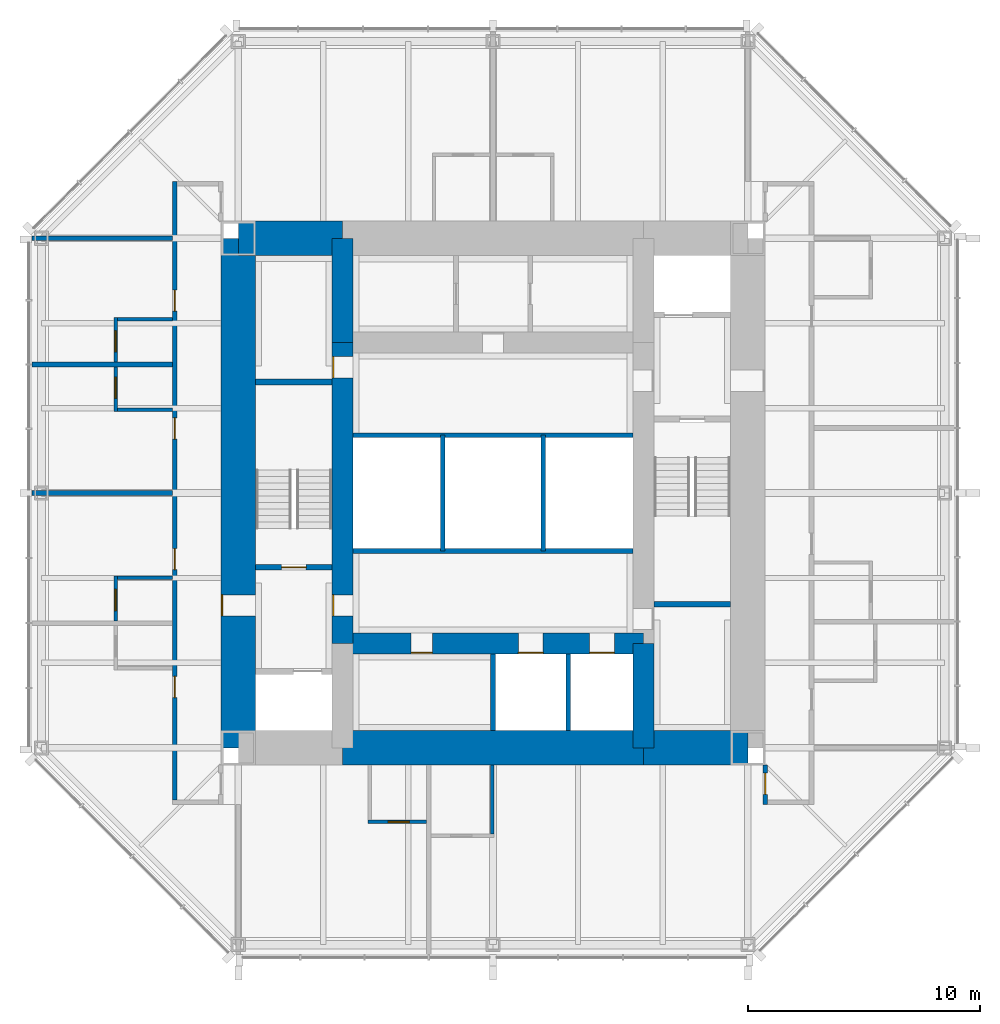
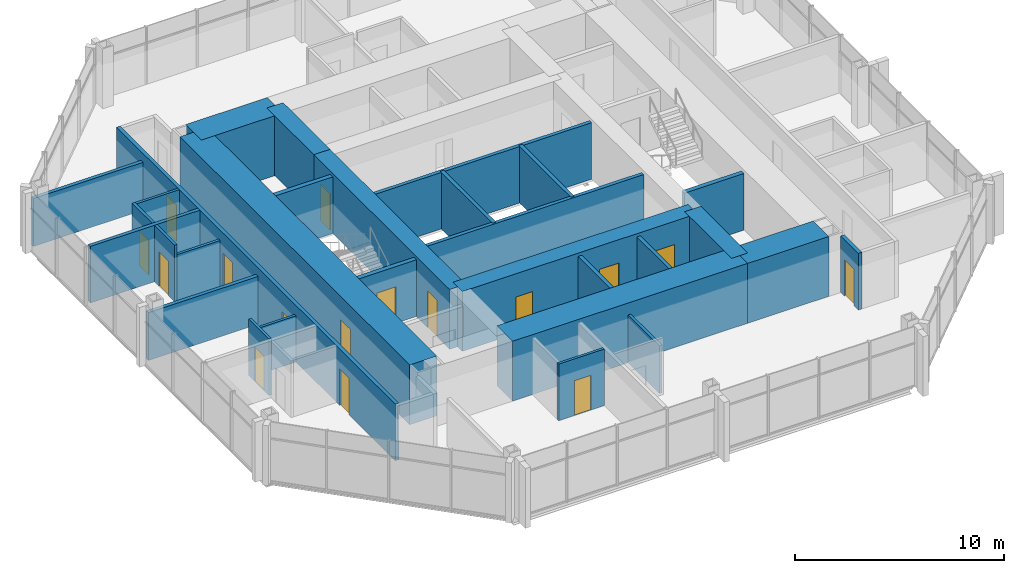
# One storey, part 8 of 11: 30 walls, 16 doors, 16 openings.
"""IFC4 building model written with IfcOpenShell, lengths in metres."""

import ifcopenshell
import ifcopenshell.guid

model = None  # the IFC model being written
_history = None  # IfcOwnerHistory: only IFC2X3 demands one
_inside = {}  # id of a spatial element -> (the spatial element, [elements in it])
_under = {}  # id of a project, library or spatial element -> (it, [spatial elements below it])
_declared = {}  # id of a project -> (the project, [libraries it declares])
_typed = {}  # id of a type object -> (the type object, [elements of that type])
_made_of = {}  # id of a material, layer set ... -> (it, [elements and type objects made of it])


def new_model(schema):
    """Start an empty IFC model of exactly this schema.

    Asked for "IFC4X3", IfcOpenShell would pick the latest addendum, in which some entities
    have other attributes; the version numbers below select the first issue.
    IFC2X3 requires an IfcOwnerHistory on every rooted entity: one is made here for all.
    """
    global model, _history
    if schema == "IFC4X3":
        model = ifcopenshell.file(schema_version=(4, 3, 0, 0))
    else:
        model = ifcopenshell.file(schema=schema)
    _inside.clear()
    _under.clear()
    _declared.clear()
    _typed.clear()
    _made_of.clear()
    _history = None
    if model.schema == "IFC2X3":
        org = make("IfcOrganization", Name="unknown")
        user = make(
            "IfcPersonAndOrganization",
            ThePerson=make("IfcPerson", FamilyName="unknown"),
            TheOrganization=org,
        )
        app = make(
            "IfcApplication",
            ApplicationDeveloper=org,
            Version="unknown",
            ApplicationFullName="unknown",
            ApplicationIdentifier="unknown",
        )
        _history = make(
            "IfcOwnerHistory",
            OwningUser=user,
            OwningApplication=app,
            ChangeAction="ADDED",
            CreationDate=0,
        )
    return model


def make(cls, **values):
    """One entity of the class cls with the attributes given. An attribute that is None is left unset."""
    return model.create_entity(
        cls, **{name: value for name, value in values.items() if value is not None}
    )


def rooted(cls, **values):
    """An entity with a GlobalId (a new one), such as an element, a storey or a relation."""
    return make(cls, GlobalId=ifcopenshell.guid.new(), OwnerHistory=_history, **values)


def si_unit(unit_type, name, prefix=None):
    """IfcSIUnit, for example si_unit("LENGTHUNIT", "METRE", prefix="MILLI")."""
    return make("IfcSIUnit", UnitType=unit_type, Prefix=prefix, Name=name)


def assignment(units):
    """IfcUnitAssignment: the units of a project."""
    return None if units is None else make("IfcUnitAssignment", Units=units)


def point(xyz):
    """IfcCartesianPoint."""
    return None if xyz is None else make("IfcCartesianPoint", Coordinates=xyz)


def direction(xyz):
    """IfcDirection."""
    return None if xyz is None else make("IfcDirection", DirectionRatios=xyz)


def frame(location, z_axis=None, x_axis=None):
    """IfcAxis2Placement3D, a coordinate frame: its origin and axes. An axis left out is left unset."""
    return make(
        "IfcAxis2Placement3D",
        Location=point(location),
        Axis=direction(z_axis),
        RefDirection=direction(x_axis),
    )


def frame_2d(location, x_axis=None):
    """IfcAxis2Placement2D, a coordinate frame in the plane: its origin and x axis."""
    return make(
        "IfcAxis2Placement2D", Location=point(location), RefDirection=direction(x_axis)
    )


def origin():
    """The frame at (0, 0, 0) with its axes left unset."""
    return frame((0.0, 0.0, 0.0))


def place(relative_to, where):
    """IfcLocalPlacement: puts the frame where relative to a parent placement (None: the world)."""
    return make(
        "IfcLocalPlacement", PlacementRelTo=relative_to, RelativePlacement=where
    )


def context(
    kind, dimensions, precision=None, world=None, true_north=None, identifier=None
):
    """IfcGeometricRepresentationContext, for example the 3D "Model" context."""
    return make(
        "IfcGeometricRepresentationContext",
        ContextIdentifier=identifier,
        ContextType=kind,
        CoordinateSpaceDimension=dimensions,
        Precision=precision,
        WorldCoordinateSystem=world,
        TrueNorth=true_north,
    )


def subcontext(parent, identifier, kind, view, scale=None):
    """IfcGeometricRepresentationSubContext, for example "Body" below "Model"."""
    return make(
        "IfcGeometricRepresentationSubContext",
        ContextIdentifier=identifier,
        ContextType=kind,
        ParentContext=parent,
        TargetScale=scale,
        TargetView=view,
    )


def project(units=None, contexts=None):
    """IfcProject with its units and contexts."""
    return rooted(
        "IfcProject",
        Name="project",
        RepresentationContexts=contexts,
        UnitsInContext=assignment(units),
    )


def spatial(cls, under=None, at=None, **own):
    """A site, building, storey or space (cls), placed at a placement, below another one or the project."""
    s = rooted(cls, ObjectPlacement=at, **own)
    if under is not None:
        _under.setdefault(under.id(), (under, []))[1].append(s)
    return s


def profile(cls, at=None, kind="AREA", **sizes):
    """A parametric profile (cls). Its sizes go by their IFC names, for example OverallWidth=200.0."""
    return make(cls, ProfileType=kind, Position=at, **sizes)


def rectangle(**sizes):
    """IfcRectangleProfileDef."""
    return profile("IfcRectangleProfileDef", **sizes)


def extrude(swept, where, along, depth):
    """IfcExtrudedAreaSolid: the profile swept, set in the frame where, extruded along a direction by depth."""
    return make(
        "IfcExtrudedAreaSolid",
        SweptArea=swept,
        Position=where,
        ExtrudedDirection=direction(along),
        Depth=depth,
    )


def shape(context_of_items, identifier, shape_type, items):
    """IfcShapeRepresentation: the items that make up one representation, for example the "Body"."""
    return make(
        "IfcShapeRepresentation",
        ContextOfItems=context_of_items,
        RepresentationIdentifier=identifier,
        RepresentationType=shape_type,
        Items=items,
    )


def material(Name=None, Category=None):
    """IfcMaterial."""
    return make("IfcMaterial", Name=Name, Category=Category)


def layer(
    of_material, thickness, ventilated=None, Name=None, Category=None, Priority=None
):
    """IfcMaterialLayer: one layer of a wall or slab, of a material (None: an air gap)."""
    return make(
        "IfcMaterialLayer",
        Material=of_material,
        LayerThickness=thickness,
        IsVentilated=ventilated,
        Name=Name,
        Category=Category,
        Priority=Priority,
    )


def layer_set(layers, Name=None):
    """IfcMaterialLayerSet."""
    return make("IfcMaterialLayerSet", MaterialLayers=layers, LayerSetName=Name)


def made_of(thing, what):
    """Note that an element or type object is made of a material, layer set ...; save() writes the relation."""
    if what is not None:
        _made_of.setdefault(what.id(), (what, []))[1].append(thing)
    return thing


def type_object(cls, material=None, **own):
    """A type object (cls), such as IfcWallType, which elements share."""
    return made_of(rooted(cls, **own), material)


def element(
    cls,
    number,
    at=None,
    inside=None,
    cuts=None,
    type_object=None,
    material=None,
    context=None,
    identifier="Body",
    shape_type=None,
    held_by="IfcProductDefinitionShape",
    body=None,
    shapes=None,
    **own,
):
    """One element of the class cls, such as IfcWall. Its Tag is "e" and its number.

    at: its placement. inside: the storey or other place that contains it. cuts: it is an
    opening in that element (IfcRelVoidsElement). A single representation is given by context,
    identifier, shape_type and body (its items); several are given by shapes. held_by: the class
    of the entity that holds the representations. save() writes the other relations.
    """
    e = rooted(cls, Tag="e%d" % number, ObjectPlacement=at, **own)
    if body is not None:
        shapes = [shape(context, identifier, shape_type, body)]
    if shapes is not None:
        e.Representation = make(held_by, Representations=shapes)
    if inside is not None:
        _inside.setdefault(inside.id(), (inside, []))[1].append(e)
    if cuts is not None:
        rooted(
            "IfcRelVoidsElement", RelatingBuildingElement=cuts, RelatedOpeningElement=e
        )
    if type_object is not None:
        _typed.setdefault(type_object.id(), (type_object, []))[1].append(e)
    return made_of(e, material)


def fill(opening, filler):
    """IfcRelFillsElement: the door or window that sits in an opening."""
    return rooted(
        "IfcRelFillsElement",
        RelatingOpeningElement=opening,
        RelatedBuildingElement=filler,
    )


def aggregate(whole, parts):
    """IfcRelAggregates: a whole, such as a stair, and the parts it consists of."""
    return rooted("IfcRelAggregates", RelatingObject=whole, RelatedObjects=parts)


def save(model, path):
    """Write the relations noted so far, then the file.

    IfcRelAggregates (storeys below a building ...), IfcRelContainedInSpatialStructure (elements
    in a storey), IfcRelDefinesByType, IfcRelAssociatesMaterial and IfcRelDeclares: one each for
    every whole, place, type object, material and project.
    """
    for whole, parts in _under.values():
        aggregate(whole, parts)
    for where, things in _inside.values():
        rooted(
            "IfcRelContainedInSpatialStructure",
            RelatedElements=things,
            RelatingStructure=where,
        )
    for kind, things in _typed.values():
        rooted("IfcRelDefinesByType", RelatedObjects=things, RelatingType=kind)
    for what, things in _made_of.values():
        rooted("IfcRelAssociatesMaterial", RelatedObjects=things, RelatingMaterial=what)
    for by, libraries in _declared.values():
        rooted("IfcRelDeclares", RelatingContext=by, RelatedDefinitions=libraries)
    model.write(path)


model = new_model("IFC4")

# Units and contexts
model_context = context("Model", 3, precision=1e-05, world=origin(), true_north=direction((0.0, 1.0)))
body_context = subcontext(model_context, "Body", "Model", "MODEL_VIEW")
ifc_project = project(units=[si_unit("LENGTHUNIT", "METRE"), si_unit("AREAUNIT", "SQUARE_METRE"), si_unit("VOLUMEUNIT", "CUBIC_METRE"), si_unit("PLANEANGLEUNIT", "RADIAN"), si_unit("MASSUNIT", "GRAM", prefix="KILO")], contexts=[model_context])

# Site, building, storey
site_placement = place(None, origin())
site = spatial("IfcSite", under=ifc_project, at=site_placement, CompositionType="ELEMENT")
building_placement = place(site_placement, origin())
building = spatial("IfcBuilding", under=site, at=building_placement, Name="Trevanion Tower", CompositionType="ELEMENT")
storey_placement = place(building_placement, frame((0.0, 0.0, 229.199951171875)))
storey = spatial("IfcBuildingStorey", under=building, at=storey_placement, Name="L55", CompositionType="ELEMENT", Elevation=229.199951171875)

# Wall, opening, door
ifc_material_1 = material(Name="Concrete 10,000 psi", Category="concrete")
ifc_layer_1 = layer(ifc_material_1, 1.5)
ifc_layer_set_1 = layer_set([ifc_layer_1], Name="CW1 core wall 1500")
wall_type_1 = type_object("IfcWallType", Name="CW1 core wall 1500", PredefinedType="SHEAR", material=ifc_layer_set_1)
wall_1_placement = place(storey_placement, frame((-11.0, 11.0, 0.0), z_axis=(0.0, 0.0, 1.0), x_axis=(0.0, -1.0, 0.0)))
wall_1 = element("IfcWall", 1, at=wall_1_placement, inside=storey, type_object=wall_type_1, Name="CW1 CW L55", PredefinedType="SHEAR", context=body_context, shape_type="SweptSolid", body=[
    extrude(rectangle(XDim=22.0, YDim=1.5, at=frame_2d((11.0, 0.0))), origin(), (0.0, 0.0, 1.0), 3.5),
])
opening_1_placement = place(wall_1_placement, frame((15.392578125, 0.0, 0.0)))
opening_1 = element("IfcOpeningElement", 2, at=opening_1_placement, cuts=wall_1, Name="Opening 55-002", PredefinedType="OPENING", context=body_context, shape_type="SweptSolid", body=[
    extrude(rectangle(XDim=0.9150390625, YDim=2.134033203125, at=frame_2d((0.45751953125, 1.06689453125))), frame((0.0, 0.760009765625, 0.0), z_axis=(0.0, -1.0, 0.0), x_axis=(1.0, 0.0, 0.0)), (0.0, 0.0, 1.0), 1.52001953125),
])
ifc_material_2 = material(Name="Hollow metal, fire rated", Category="steel")
door_type_1 = type_object("IfcDoorType", Name="D3 fire lift lobby door", OperationType="SINGLE_SWING_RIGHT", PredefinedType="DOOR", material=ifc_material_2)
door_1_placement = place(opening_1_placement, origin())
door_1 = element("IfcDoor", 3, at=door_1_placement, inside=storey, type_object=door_type_1, Name="Door 55-002", OperationType="SINGLE_SWING_RIGHT", OverallHeight=2.134033203125, OverallWidth=0.9150390625, PredefinedType="DOOR", context=body_context, shape_type="SweptSolid", body=[
    extrude(rectangle(XDim=0.9150390625, YDim=2.134033203125, at=frame_2d((0.45751953125, 1.06689453125))), frame((0.0, -0.6748046875, 0.0), z_axis=(0.0, -1.0, 0.0), x_axis=(1.0, 0.0, 0.0)), (0.0, 0.0, 1.0), 0.050048828125),
])
fill(opening_1, door_1)

# Walls
wall_2_placement = place(storey_placement, frame((-6.5, 11.0, 0.0), z_axis=(0.0, 0.0, 1.0), x_axis=(-1.0, 0.0, 0.0)))
element("IfcWall", 4, at=wall_2_placement, inside=storey, type_object=wall_type_1, Name="CW1 CN3 L55", PredefinedType="SHEAR", context=body_context, shape_type="SweptSolid", body=[
    extrude(rectangle(XDim=4.5, YDim=1.5, at=frame_2d((2.25, 0.0))), origin(), (0.0, 0.0, 1.0), 3.5),
])
wall_3_placement = place(storey_placement, frame((-6.5, -11.0, 0.0), z_axis=(0.0, 0.0, 1.0), x_axis=(1.0, 0.0, 0.0)))
element("IfcWall", 5, at=wall_3_placement, inside=storey, type_object=wall_type_1, Name="CW1 CS2 L55", PredefinedType="SHEAR", context=body_context, shape_type="SweptSolid", body=[
    extrude(rectangle(XDim=13.0, YDim=1.5, at=frame_2d((6.5, 0.0))), origin(), (0.0, 0.0, 1.0), 3.5),
])
wall_4_placement = place(storey_placement, frame((6.5, -11.0, 0.0), z_axis=(0.0, 0.0, 1.0), x_axis=(1.0, 0.0, 0.0)))
element("IfcWall", 6, at=wall_4_placement, inside=storey, type_object=wall_type_1, Name="CW1 CS3 L55", PredefinedType="SHEAR", context=body_context, shape_type="SweptSolid", body=[
    extrude(rectangle(XDim=4.5, YDim=1.5, at=frame_2d((2.25, 0.0))), origin(), (0.0, 0.0, 1.0), 3.5),
])
ifc_material_3 = material(Name="Concrete 10,000 psi", Category="concrete")
ifc_layer_2 = layer(ifc_material_3, 0.89990234375)
ifc_layer_set_2 = layer_set([ifc_layer_2], Name="CW2 core wall 900")
wall_type_2 = type_object("IfcWallType", Name="CW2 core wall 900", PredefinedType="SHEAR", material=ifc_layer_set_2)
for number, where, z_axis, x_axis, name in (
    (7, (6.5, -11.0, 0.0), (0.0, 0.0, 1.0), (0.0, 1.0, 0.0), "CW2 RE1 L55"),
    (8, (-6.5, 11.0, 0.0), (0.0, 0.0, 1.0), (0.0, -1.0, 0.0), "CW2 RW1 L55"),
):
    element("IfcWall", number, at=place(storey_placement, frame(where, z_axis=z_axis, x_axis=x_axis)), inside=storey, type_object=wall_type_2, Name=name, PredefinedType="SHEAR", context=body_context, shape_type="SweptSolid", body=[
        extrude(rectangle(XDim=4.5, YDim=0.89990234375, at=frame_2d((2.25, 0.0))), origin(), (0.0, 0.0, 1.0), 3.5),
    ])

# Wall, openings, doors
wall_5_placement = place(storey_placement, frame((-6.5, 6.5, 0.0), z_axis=(0.0, 0.0, 1.0), x_axis=(0.0, -1.0, 0.0)))
wall_5 = element("IfcWall", 9, at=wall_5_placement, inside=storey, type_object=wall_type_2, Name="CW2 RW2 L55", PredefinedType="SHEAR", context=body_context, shape_type="SweptSolid", body=[
    extrude(rectangle(XDim=13.0, YDim=0.89990234375, at=frame_2d((6.5, 0.0))), origin(), (0.0, 0.0, 1.0), 3.5),
])
opening_2_placement = place(wall_5_placement, frame((10.892578125, 0.0, 0.0)))
opening_2 = element("IfcOpeningElement", 10, at=opening_2_placement, cuts=wall_5, Name="Opening 55-004", PredefinedType="OPENING", context=body_context, shape_type="SweptSolid", body=[
    extrude(rectangle(XDim=0.9150390625, YDim=2.134033203125, at=frame_2d((0.45751953125, 1.06689453125))), frame((0.0, 0.4599609375, 0.0), z_axis=(0.0, -1.0, 0.0), x_axis=(1.0, 0.0, 0.0)), (0.0, 0.0, 1.0), 0.919921875),
])
opening_3_placement = place(wall_5_placement, frame((0.610107421875, 0.0, 0.0)))
opening_3 = element("IfcOpeningElement", 11, at=opening_3_placement, cuts=wall_5, Name="Opening 55-010", PredefinedType="OPENING", context=body_context, shape_type="SweptSolid", body=[
    extrude(rectangle(XDim=0.9150390625, YDim=2.134033203125, at=frame_2d((0.45751953125, 1.06689453125))), frame((0.0, 0.4599609375, 0.0), z_axis=(0.0, -1.0, 0.0), x_axis=(1.0, 0.0, 0.0)), (0.0, 0.0, 1.0), 0.919921875),
])
door_2_placement = place(opening_2_placement, origin())
door_2 = element("IfcDoor", 12, at=door_2_placement, inside=storey, type_object=door_type_1, Name="Door 55-004", OperationType="SINGLE_SWING_RIGHT", OverallHeight=2.134033203125, OverallWidth=0.9150390625, PredefinedType="DOOR", context=body_context, shape_type="SweptSolid", body=[
    extrude(rectangle(XDim=0.9150390625, YDim=2.134033203125, at=frame_2d((0.45751953125, 1.06689453125))), frame((0.0, -0.375, 0.0), z_axis=(0.0, -1.0, 0.0), x_axis=(1.0, 0.0, 0.0)), (0.0, 0.0, 1.0), 0.050048828125),
])
fill(opening_2, door_2)
ifc_material_4 = material(Name="Hollow metal, fire rated", Category="steel")
door_type_2 = type_object("IfcDoorType", Name="D5 service room door", OperationType="SINGLE_SWING_RIGHT", PredefinedType="DOOR", material=ifc_material_4)
door_3_placement = place(opening_3_placement, origin())
door_3 = element("IfcDoor", 13, at=door_3_placement, inside=storey, type_object=door_type_2, Name="Door 55-010", OperationType="SINGLE_SWING_RIGHT", OverallHeight=2.134033203125, OverallWidth=0.9150390625, PredefinedType="DOOR", context=body_context, shape_type="SweptSolid", body=[
    extrude(rectangle(XDim=0.9150390625, YDim=2.134033203125, at=frame_2d((0.45751953125, 1.06689453125))), frame((0.0, -0.375, 0.0), z_axis=(0.0, -1.0, 0.0), x_axis=(1.0, 0.0, 0.0)), (0.0, 0.0, 1.0), 0.050048828125),
])
fill(opening_3, door_3)

wall_6_placement = place(storey_placement, frame((-6.5, -6.5, 0.0), z_axis=(0.0, 0.0, 1.0), x_axis=(1.0, 0.0, 0.0)))
wall_6 = element("IfcWall", 14, at=wall_6_placement, inside=storey, type_object=wall_type_2, Name="CW2 RS L55", PredefinedType="SHEAR", context=body_context, shape_type="SweptSolid", body=[
    extrude(rectangle(XDim=13.0, YDim=0.89990234375, at=frame_2d((6.5, 0.0))), origin(), (0.0, 0.0, 1.0), 3.5),
])
opening_4_placement = place(wall_6_placement, frame((7.591552734375, 0.0, 0.0)))
opening_4 = element("IfcOpeningElement", 15, at=opening_4_placement, cuts=wall_6, Name="Opening 55-011", PredefinedType="OPENING", context=body_context, shape_type="SweptSolid", body=[
    extrude(rectangle(XDim=1.06689453125, YDim=2.134033203125, at=frame_2d((0.533447265625, 1.06689453125))), frame((0.0, 0.4599609375, 0.0), z_axis=(0.0, -1.0, 0.0), x_axis=(1.0, 0.0, 0.0)), (0.0, 0.0, 1.0), 0.919921875),
])
opening_5_placement = place(wall_6_placement, frame((10.66650390625, 0.0, 0.0)))
opening_5 = element("IfcOpeningElement", 16, at=opening_5_placement, cuts=wall_6, Name="Opening 55-012", PredefinedType="OPENING", context=body_context, shape_type="SweptSolid", body=[
    extrude(rectangle(XDim=1.06689453125, YDim=2.134033203125, at=frame_2d((0.533447265625, 1.06689453125))), frame((0.0, 0.4599609375, 0.0), z_axis=(0.0, -1.0, 0.0), x_axis=(1.0, 0.0, 0.0)), (0.0, 0.0, 1.0), 0.919921875),
])
opening_6_placement = place(wall_6_placement, frame((2.967529296875, 0.0, 0.0)))
opening_6 = element("IfcOpeningElement", 17, at=opening_6_placement, cuts=wall_6, Name="Opening 55-013", PredefinedType="OPENING", context=body_context, shape_type="SweptSolid", body=[
    extrude(rectangle(XDim=0.9150390625, YDim=2.134033203125, at=frame_2d((0.45751953125, 1.06689453125))), frame((0.0, 0.4599609375, 0.0), z_axis=(0.0, -1.0, 0.0), x_axis=(1.0, 0.0, 0.0)), (0.0, 0.0, 1.0), 0.919921875),
])
door_4_placement = place(opening_6_placement, origin())
door_4 = element("IfcDoor", 18, at=door_4_placement, inside=storey, type_object=door_type_2, Name="Door 55-013", OperationType="SINGLE_SWING_RIGHT", OverallHeight=2.134033203125, OverallWidth=0.9150390625, PredefinedType="DOOR", context=body_context, shape_type="SweptSolid", body=[
    extrude(rectangle(XDim=0.9150390625, YDim=2.134033203125, at=frame_2d((0.45751953125, 1.06689453125))), frame((0.0, -0.375, 0.0), z_axis=(0.0, -1.0, 0.0), x_axis=(1.0, 0.0, 0.0)), (0.0, 0.0, 1.0), 0.050048828125),
])
fill(opening_6, door_4)
ifc_material_5 = material(Name="Stainless steel, fire rated", Category="steel")
door_type_3 = type_object("IfcDoorType", Name="LD1 lift landing door", OperationType="SLIDING_TO_LEFT", PredefinedType="DOOR", material=ifc_material_5)
door_5_placement = place(opening_4_placement, origin())
door_5 = element("IfcDoor", 19, at=door_5_placement, inside=storey, type_object=door_type_3, Name="Door 55-011", OperationType="SLIDING_TO_LEFT", OverallHeight=2.134033203125, OverallWidth=1.06689453125, PredefinedType="DOOR", context=body_context, shape_type="SweptSolid", body=[
    extrude(rectangle(XDim=1.06689453125, YDim=2.134033203125, at=frame_2d((0.533447265625, 1.06689453125))), frame((0.0, -0.375, 0.0), z_axis=(0.0, -1.0, 0.0), x_axis=(1.0, 0.0, 0.0)), (0.0, 0.0, 1.0), 0.050048828125),
])
fill(opening_4, door_5)
door_6_placement = place(opening_5_placement, origin())
door_6 = element("IfcDoor", 20, at=door_6_placement, inside=storey, type_object=door_type_3, Name="Door 55-012", OperationType="SLIDING_TO_LEFT", OverallHeight=2.134033203125, OverallWidth=1.06689453125, PredefinedType="DOOR", context=body_context, shape_type="SweptSolid", body=[
    extrude(rectangle(XDim=1.06689453125, YDim=2.134033203125, at=frame_2d((0.533447265625, 1.06689453125))), frame((0.0, -0.375, 0.0), z_axis=(0.0, -1.0, 0.0), x_axis=(1.0, 0.0, 0.0)), (0.0, 0.0, 1.0), 0.050048828125),
])
fill(opening_5, door_6)

# Wall, opening, door
ifc_material_6 = material(Name="Gypsum board on steel studs", Category="steel")
ifc_layer_3 = layer(ifc_material_6, 0.14990234375)
ifc_layer_set_3 = layer_set([ifc_layer_3], Name="PT1 partition 150")
wall_type_3 = type_object("IfcWallType", Name="PT1 partition 150", PredefinedType="PARTITIONING", material=ifc_layer_set_3)
wall_7_placement = place(storey_placement, frame((-16.300048828125, 7.573974609375, 0.0), z_axis=(0.0, 0.0, 1.0), x_axis=(0.0, -1.0, 0.0)))
wall_7 = element("IfcWall", 21, at=wall_7_placement, inside=storey, type_object=wall_type_3, Name="PT1 L55 BA20", PredefinedType="PARTITIONING", context=body_context, shape_type="SweptSolid", body=[
    extrude(rectangle(XDim=1.925048828125, YDim=0.14990234375, at=frame_2d((0.96240234375, 0.0))), origin(), (0.0, 0.0, 1.0), 3.31005859375),
])
opening_7_placement = place(wall_7_placement, frame((0.5673828125, 0.0, 0.0)))
opening_7 = element("IfcOpeningElement", 22, at=opening_7_placement, cuts=wall_7, Name="Opening 55-027", PredefinedType="OPENING", context=body_context, shape_type="SweptSolid", body=[
    extrude(rectangle(XDim=0.9150390625, YDim=2.031982421875, at=frame_2d((0.45751953125, 1.01611328125))), frame((0.0, 0.0849609375, 0.0), z_axis=(0.0, -1.0, 0.0), x_axis=(1.0, 0.0, 0.0)), (0.0, 0.0, 1.0), 0.169921875),
])
ifc_material_7 = material(Name="Timber veneer", Category="wood")
door_type_4 = type_object("IfcDoorType", Name="D7 bathroom door", OperationType="SINGLE_SWING_LEFT", PredefinedType="DOOR", material=ifc_material_7)
door_7_placement = place(opening_7_placement, origin())
door_7 = element("IfcDoor", 23, at=door_7_placement, inside=storey, type_object=door_type_4, Name="Door 55-027", OperationType="SINGLE_SWING_LEFT", OverallHeight=2.031982421875, OverallWidth=0.9150390625, PredefinedType="DOOR", context=body_context, shape_type="SweptSolid", body=[
    extrude(rectangle(XDim=0.9150390625, YDim=2.031982421875, at=frame_2d((0.45751953125, 1.01611328125))), frame((0.0, 0.02490234375, 0.0), z_axis=(0.0, -1.0, 0.0), x_axis=(1.0, 0.0, 0.0)), (0.0, 0.0, 1.0), 0.050048828125),
])
fill(opening_7, door_7)

# Wall
wall_8_placement = place(storey_placement, frame((-13.85009765625, 7.4990234375, 0.0), z_axis=(0.0, 0.0, 1.0), x_axis=(-1.0, 0.0, 0.0)))
element("IfcWall", 24, at=wall_8_placement, inside=storey, type_object=wall_type_3, Name="PT1 L55 BB20", PredefinedType="PARTITIONING", context=body_context, shape_type="SweptSolid", body=[
    extrude(rectangle(XDim=2.375, YDim=0.14990234375, at=frame_2d((1.1875, 0.0))), origin(), (0.0, 0.0, 1.0), 3.31005859375),
])

# Wall, opening, door
wall_9_placement = place(storey_placement, frame((-16.300048828125, 5.448974609375, 0.0), z_axis=(0.0, 0.0, 1.0), x_axis=(0.0, -1.0, 0.0)))
wall_9 = element("IfcWall", 25, at=wall_9_placement, inside=storey, type_object=wall_type_3, Name="PT1 L55 BA21", PredefinedType="PARTITIONING", context=body_context, shape_type="SweptSolid", body=[
    extrude(rectangle(XDim=1.925048828125, YDim=0.14990234375, at=frame_2d((0.96240234375, 0.0))), origin(), (0.0, 0.0, 1.0), 3.31005859375),
])
opening_8_placement = place(wall_9_placement, frame((0.4423828125, 0.0, 0.0)))
opening_8 = element("IfcOpeningElement", 26, at=opening_8_placement, cuts=wall_9, Name="Opening 55-029", PredefinedType="OPENING", context=body_context, shape_type="SweptSolid", body=[
    extrude(rectangle(XDim=0.9150390625, YDim=2.031982421875, at=frame_2d((0.45751953125, 1.01611328125))), frame((0.0, 0.0849609375, 0.0), z_axis=(0.0, -1.0, 0.0), x_axis=(1.0, 0.0, 0.0)), (0.0, 0.0, 1.0), 0.169921875),
])
door_8_placement = place(opening_8_placement, origin())
door_8 = element("IfcDoor", 27, at=door_8_placement, inside=storey, type_object=door_type_4, Name="Door 55-029", OperationType="SINGLE_SWING_LEFT", OverallHeight=2.031982421875, OverallWidth=0.9150390625, PredefinedType="DOOR", context=body_context, shape_type="SweptSolid", body=[
    extrude(rectangle(XDim=0.9150390625, YDim=2.031982421875, at=frame_2d((0.45751953125, 1.01611328125))), frame((0.0, 0.02490234375, 0.0), z_axis=(0.0, -1.0, 0.0), x_axis=(1.0, 0.0, 0.0)), (0.0, 0.0, 1.0), 0.050048828125),
])
fill(opening_8, door_8)

# Wall
wall_10_placement = place(storey_placement, frame((-13.85009765625, 3.59912109375, 0.0), z_axis=(0.0, 0.0, 1.0), x_axis=(-1.0, 0.0, 0.0)))
element("IfcWall", 28, at=wall_10_placement, inside=storey, type_object=wall_type_3, Name="PT1 L55 BB21", PredefinedType="PARTITIONING", context=body_context, shape_type="SweptSolid", body=[
    extrude(rectangle(XDim=2.375, YDim=0.14990234375, at=frame_2d((1.1875, 0.0))), origin(), (0.0, 0.0, 1.0), 2.703125),
])

# Wall, opening, door
wall_11_placement = place(storey_placement, frame((-16.300048828125, -3.589111328125, 0.0), z_axis=(0.0, 0.0, 1.0), x_axis=(0.0, -1.0, 0.0)))
wall_11 = element("IfcWall", 29, at=wall_11_placement, inside=storey, type_object=wall_type_3, Name="PT1 L55 BA22", PredefinedType="PARTITIONING", context=body_context, shape_type="SweptSolid", body=[
    extrude(rectangle(XDim=1.9248046875, YDim=0.14990234375, at=frame_2d((0.96240234375, 0.0))), origin(), (0.0, 0.0, 1.0), 3.31005859375),
])
opening_9_placement = place(wall_11_placement, frame((0.5673828125, 0.0, 0.0)))
opening_9 = element("IfcOpeningElement", 30, at=opening_9_placement, cuts=wall_11, Name="Opening 55-031", PredefinedType="OPENING", context=body_context, shape_type="SweptSolid", body=[
    extrude(rectangle(XDim=0.9150390625, YDim=2.031982421875, at=frame_2d((0.45751953125, 1.01611328125))), frame((0.0, 0.0849609375, 0.0), z_axis=(0.0, -1.0, 0.0), x_axis=(1.0, 0.0, 0.0)), (0.0, 0.0, 1.0), 0.169921875),
])
door_9_placement = place(opening_9_placement, origin())
door_9 = element("IfcDoor", 31, at=door_9_placement, inside=storey, type_object=door_type_4, Name="Door 55-031", OperationType="SINGLE_SWING_LEFT", OverallHeight=2.031982421875, OverallWidth=0.9150390625, PredefinedType="DOOR", context=body_context, shape_type="SweptSolid", body=[
    extrude(rectangle(XDim=0.9150390625, YDim=2.031982421875, at=frame_2d((0.45751953125, 1.01611328125))), frame((0.0, 0.02490234375, 0.0), z_axis=(0.0, -1.0, 0.0), x_axis=(1.0, 0.0, 0.0)), (0.0, 0.0, 1.0), 0.050048828125),
])
fill(opening_9, door_9)

# Wall
wall_12_placement = place(storey_placement, frame((-13.85009765625, -3.6640625, 0.0), z_axis=(0.0, 0.0, 1.0), x_axis=(-1.0, 0.0, 0.0)))
element("IfcWall", 32, at=wall_12_placement, inside=storey, type_object=wall_type_3, Name="PT1 L55 BB22", PredefinedType="PARTITIONING", context=body_context, shape_type="SweptSolid", body=[
    extrude(rectangle(XDim=2.375, YDim=0.14990234375, at=frame_2d((1.1875, 0.0))), origin(), (0.0, 0.0, 1.0), 2.703125),
])

# Wall, opening, door
wall_13_placement = place(storey_placement, frame((-5.39990234375, -14.199951171875, 0.0), z_axis=(0.0, 0.0, 1.0), x_axis=(1.0, 0.0, 0.0)))
wall_13 = element("IfcWall", 33, at=wall_13_placement, inside=storey, type_object=wall_type_3, Name="PT1 L55 BA30", PredefinedType="PARTITIONING", context=body_context, shape_type="SweptSolid", body=[
    extrude(rectangle(XDim=2.52490234375, YDim=0.14990234375, at=frame_2d((1.262451171875, 0.0))), origin(), (0.0, 0.0, 1.0), 3.31005859375),
])
opening_10_placement = place(wall_13_placement, frame((0.867431640625, 0.0, 0.0)))
opening_10 = element("IfcOpeningElement", 34, at=opening_10_placement, cuts=wall_13, Name="Opening 55-037", PredefinedType="OPENING", context=body_context, shape_type="SweptSolid", body=[
    extrude(rectangle(XDim=0.9150390625, YDim=2.031982421875, at=frame_2d((0.45751953125, 1.01611328125))), frame((0.0, 0.0849609375, 0.0), z_axis=(0.0, -1.0, 0.0), x_axis=(1.0, 0.0, 0.0)), (0.0, 0.0, 1.0), 0.169921875),
])
door_10_placement = place(opening_10_placement, origin())
door_10 = element("IfcDoor", 35, at=door_10_placement, inside=storey, type_object=door_type_4, Name="Door 55-037", OperationType="SINGLE_SWING_LEFT", OverallHeight=2.031982421875, OverallWidth=0.9150390625, PredefinedType="DOOR", context=body_context, shape_type="SweptSolid", body=[
    extrude(rectangle(XDim=0.9150390625, YDim=2.031982421875, at=frame_2d((0.45751953125, 1.01611328125))), frame((0.0, 0.02490234375, 0.0), z_axis=(0.0, -1.0, 0.0), x_axis=(1.0, 0.0, 0.0)), (0.0, 0.0, 1.0), 0.050048828125),
])
fill(opening_10, door_10)

# Walls
wall_14_placement = place(storey_placement, frame((-0.02490234375, -11.75, 0.0), z_axis=(0.0, 0.0, 1.0), x_axis=(0.0, -1.0, 0.0)))
element("IfcWall", 36, at=wall_14_placement, inside=storey, type_object=wall_type_3, Name="PT1 L55 BB31", PredefinedType="PARTITIONING", context=body_context, shape_type="SweptSolid", body=[
    extrude(rectangle(XDim=2.97509765625, YDim=0.14990234375, at=frame_2d((1.487548828125, 0.0))), origin(), (0.0, 0.0, 1.0), 2.802001953125),
])
ifc_material_8 = material(Name="Concrete masonry, grouted", Category="masonry")
ifc_layer_4 = layer(ifc_material_8, 0.199951171875)
ifc_layer_set_4 = layer_set([ifc_layer_4], Name="PT2 partition 200 1 HR")
wall_type_4 = type_object("IfcWallType", Name="PT2 partition 200 1 HR", PredefinedType="PARTITIONING", material=ifc_layer_set_4)
for number, where, z_axis, x_axis, name in (
    (37, (-6.050048828125, 2.5, 0.0), (0.0, 0.0, 1.0), (1.0, 0.0, 0.0), "PT2 L55 CP1"),
    (38, (6.050048828125, -2.5, 0.0), (0.0, 0.0, 1.0), (-1.0, 0.0, 0.0), "PT2 L55 CP2"),
):
    element("IfcWall", number, at=place(storey_placement, frame(where, z_axis=z_axis, x_axis=x_axis)), inside=storey, type_object=wall_type_4, Name=name, PredefinedType="PARTITIONING", context=body_context, shape_type="SweptSolid", body=[
        extrude(rectangle(XDim=12.10009765625, YDim=0.199951171875, at=frame_2d((6.050048828125, 0.0))), origin(), (0.0, 0.0, 1.0), 3.31005859375),
    ])

# Wall, opening, door
wall_15_placement = place(storey_placement, frame((11.75, -11.75, 0.0), z_axis=(0.0, 0.0, 1.0), x_axis=(0.0, -1.0, 0.0)))
wall_15 = element("IfcWall", 39, at=wall_15_placement, inside=storey, type_object=wall_type_4, Name="PT2 L55 HO3b", PredefinedType="PARTITIONING", context=body_context, shape_type="SweptSolid", body=[
    extrude(rectangle(XDim=1.699951171875, YDim=0.199951171875, at=frame_2d((0.85009765625, 0.0))), origin(), (0.0, 0.0, 1.0), 3.31005859375),
])
opening_11_placement = place(wall_15_placement, frame((0.342529296875, 0.0, 0.0)))
opening_11 = element("IfcOpeningElement", 40, at=opening_11_placement, cuts=wall_15, Name="Opening 55-036", PredefinedType="OPENING", context=body_context, shape_type="SweptSolid", body=[
    extrude(rectangle(XDim=0.9150390625, YDim=2.134033203125, at=frame_2d((0.45751953125, 1.06689453125))), frame((0.0, 0.10986328125, 0.0), z_axis=(0.0, -1.0, 0.0), x_axis=(1.0, 0.0, 0.0)), (0.0, 0.0, 1.0), 0.219970703125),
])
ifc_material_9 = material(Name="Timber veneer, fire rated", Category="wood")
door_type_5 = type_object("IfcDoorType", Name="D6 guest room entrance door", OperationType="SINGLE_SWING_LEFT", PredefinedType="DOOR", material=ifc_material_9)
door_11_placement = place(opening_11_placement, origin())
door_11 = element("IfcDoor", 41, at=door_11_placement, inside=storey, type_object=door_type_5, Name="Door 55-036", OperationType="SINGLE_SWING_LEFT", OverallHeight=2.134033203125, OverallWidth=0.9150390625, PredefinedType="DOOR", context=body_context, shape_type="SweptSolid", body=[
    extrude(rectangle(XDim=0.9150390625, YDim=2.134033203125, at=frame_2d((0.45751953125, 1.06689453125))), frame((0.0, 0.02490234375, 0.0), z_axis=(0.0, -1.0, 0.0), x_axis=(1.0, 0.0, 0.0)), (0.0, 0.0, 1.0), 0.050048828125),
])
fill(opening_11, door_11)

# Wall, openings, doors
wall_16_placement = place(storey_placement, frame((-13.75, 13.449951171875, 0.0), z_axis=(0.0, 0.0, 1.0), x_axis=(0.0, -1.0, 0.0)))
wall_16 = element("IfcWall", 42, at=wall_16_placement, inside=storey, type_object=wall_type_4, Name="PT2 L55 HC2", PredefinedType="PARTITIONING", context=body_context, shape_type="SweptSolid", body=[
    extrude(rectangle(XDim=26.699951171875, YDim=0.199951171875, at=frame_2d((13.35009765625, 0.0))), origin(), (0.0, 0.0, 1.0), 3.31005859375),
])
opening_12_placement = place(wall_16_placement, frame((4.68359375, 0.0, 0.0)))
opening_12 = element("IfcOpeningElement", 43, at=opening_12_placement, cuts=wall_16, Name="Opening 55-028", PredefinedType="OPENING", context=body_context, shape_type="SweptSolid", body=[
    extrude(rectangle(XDim=0.9150390625, YDim=2.134033203125, at=frame_2d((0.45751953125, 1.06689453125))), frame((0.0, 0.10986328125, 0.0), z_axis=(0.0, -1.0, 0.0), x_axis=(1.0, 0.0, 0.0)), (0.0, 0.0, 1.0), 0.219970703125),
])
opening_13_placement = place(wall_16_placement, frame((10.20361328125, 0.0, 0.0)))
opening_13 = element("IfcOpeningElement", 44, at=opening_13_placement, cuts=wall_16, Name="Opening 55-030", PredefinedType="OPENING", context=body_context, shape_type="SweptSolid", body=[
    extrude(rectangle(XDim=0.9150390625, YDim=2.134033203125, at=frame_2d((0.45751953125, 1.06689453125))), frame((0.0, 0.10986328125, 0.0), z_axis=(0.0, -1.0, 0.0), x_axis=(1.0, 0.0, 0.0)), (0.0, 0.0, 1.0), 0.219970703125),
])
opening_14_placement = place(wall_16_placement, frame((15.846435546875, 0.0, 0.0)))
opening_14 = element("IfcOpeningElement", 45, at=opening_14_placement, cuts=wall_16, Name="Opening 55-032", PredefinedType="OPENING", context=body_context, shape_type="SweptSolid", body=[
    extrude(rectangle(XDim=0.9150390625, YDim=2.134033203125, at=frame_2d((0.45751953125, 1.06689453125))), frame((0.0, 0.10986328125, 0.0), z_axis=(0.0, -1.0, 0.0), x_axis=(1.0, 0.0, 0.0)), (0.0, 0.0, 1.0), 0.219970703125),
])
opening_15_placement = place(wall_16_placement, frame((21.366455078125, 0.0, 0.0)))
opening_15 = element("IfcOpeningElement", 46, at=opening_15_placement, cuts=wall_16, Name="Opening 55-034", PredefinedType="OPENING", context=body_context, shape_type="SweptSolid", body=[
    extrude(rectangle(XDim=0.9150390625, YDim=2.134033203125, at=frame_2d((0.45751953125, 1.06689453125))), frame((0.0, 0.10986328125, 0.0), z_axis=(0.0, -1.0, 0.0), x_axis=(1.0, 0.0, 0.0)), (0.0, 0.0, 1.0), 0.219970703125),
])
door_12_placement = place(opening_12_placement, origin())
door_12 = element("IfcDoor", 47, at=door_12_placement, inside=storey, type_object=door_type_5, Name="Door 55-028", OperationType="SINGLE_SWING_LEFT", OverallHeight=2.134033203125, OverallWidth=0.9150390625, PredefinedType="DOOR", context=body_context, shape_type="SweptSolid", body=[
    extrude(rectangle(XDim=0.9150390625, YDim=2.134033203125, at=frame_2d((0.45751953125, 1.06689453125))), frame((0.0, 0.02490234375, 0.0), z_axis=(0.0, -1.0, 0.0), x_axis=(1.0, 0.0, 0.0)), (0.0, 0.0, 1.0), 0.050048828125),
])
fill(opening_12, door_12)
door_13_placement = place(opening_13_placement, origin())
door_13 = element("IfcDoor", 48, at=door_13_placement, inside=storey, type_object=door_type_5, Name="Door 55-030", OperationType="SINGLE_SWING_LEFT", OverallHeight=2.134033203125, OverallWidth=0.9150390625, PredefinedType="DOOR", context=body_context, shape_type="SweptSolid", body=[
    extrude(rectangle(XDim=0.9150390625, YDim=2.134033203125, at=frame_2d((0.45751953125, 1.06689453125))), frame((0.0, 0.02490234375, 0.0), z_axis=(0.0, -1.0, 0.0), x_axis=(1.0, 0.0, 0.0)), (0.0, 0.0, 1.0), 0.050048828125),
])
fill(opening_13, door_13)
door_14_placement = place(opening_14_placement, origin())
door_14 = element("IfcDoor", 49, at=door_14_placement, inside=storey, type_object=door_type_5, Name="Door 55-032", OperationType="SINGLE_SWING_LEFT", OverallHeight=2.134033203125, OverallWidth=0.9150390625, PredefinedType="DOOR", context=body_context, shape_type="SweptSolid", body=[
    extrude(rectangle(XDim=0.9150390625, YDim=2.134033203125, at=frame_2d((0.45751953125, 1.06689453125))), frame((0.0, 0.02490234375, 0.0), z_axis=(0.0, -1.0, 0.0), x_axis=(1.0, 0.0, 0.0)), (0.0, 0.0, 1.0), 0.050048828125),
])
fill(opening_14, door_14)
door_15_placement = place(opening_15_placement, origin())
door_15 = element("IfcDoor", 50, at=door_15_placement, inside=storey, type_object=door_type_5, Name="Door 55-034", OperationType="SINGLE_SWING_LEFT", OverallHeight=2.134033203125, OverallWidth=0.9150390625, PredefinedType="DOOR", context=body_context, shape_type="SweptSolid", body=[
    extrude(rectangle(XDim=0.9150390625, YDim=2.134033203125, at=frame_2d((0.45751953125, 1.06689453125))), frame((0.0, 0.02490234375, 0.0), z_axis=(0.0, -1.0, 0.0), x_axis=(1.0, 0.0, 0.0)), (0.0, 0.0, 1.0), 0.050048828125),
])
fill(opening_15, door_15)

# Walls
wall_17_placement = place(storey_placement, frame((-13.85009765625, 11.0, 0.0), z_axis=(0.0, 0.0, 1.0), x_axis=(-1.0, 0.0, 0.0)))
element("IfcWall", 51, at=wall_17_placement, inside=storey, type_object=wall_type_4, Name="PT2 L55 HD20", PredefinedType="PARTITIONING", context=body_context, shape_type="SweptSolid", body=[
    extrude(rectangle(XDim=6.06494140625, YDim=0.199951171875, at=frame_2d((3.032470703125, 0.0))), origin(), (0.0, 0.0, 1.0), 2.802001953125),
])
wall_18_placement = place(storey_placement, frame((-13.85009765625, 5.549072265625, 0.0), z_axis=(0.0, 0.0, 1.0), x_axis=(-1.0, 0.0, 0.0)))
element("IfcWall", 52, at=wall_18_placement, inside=storey, type_object=wall_type_4, Name="PT2 L55 HD21", PredefinedType="PARTITIONING", context=body_context, shape_type="SweptSolid", body=[
    extrude(rectangle(XDim=6.06494140625, YDim=0.199951171875, at=frame_2d((3.032470703125, 0.0))), origin(), (0.0, 0.0, 1.0), 3.31005859375),
])
wall_19_placement = place(storey_placement, frame((-13.85009765625, 0.0, 0.0), z_axis=(0.0, 0.0, 1.0), x_axis=(-1.0, 0.0, 0.0)))
element("IfcWall", 53, at=wall_19_placement, inside=storey, type_object=wall_type_4, Name="PT2 L55 HD22", PredefinedType="PARTITIONING", context=body_context, shape_type="SweptSolid", body=[
    extrude(rectangle(XDim=6.06494140625, YDim=0.199951171875, at=frame_2d((3.032470703125, 0.0))), origin(), (0.0, 0.0, 1.0), 2.802001953125),
])
ifc_material_10 = material(Name="Concrete masonry, grouted", Category="masonry")
ifc_layer_5 = layer(ifc_material_10, 0.199951171875)
ifc_layer_set_5 = layer_set([ifc_layer_5], Name="PT2 partition 200 2 HR")
wall_type_5 = type_object("IfcWallType", Name="PT2 partition 200 2 HR", PredefinedType="PARTITIONING", material=ifc_layer_set_5)
for number, where, z_axis, x_axis, name in (
    (54, (0.0, -10.25, 0.0), (0.0, 0.0, 1.0), (0.0, 1.0, 0.0), "PT2 L55 SS1"),
    (55, (3.25, -10.25, 0.0), (0.0, 0.0, 1.0), (0.0, 1.0, 0.0), "PT2 L55 SS2"),
):
    element("IfcWall", number, at=place(storey_placement, frame(where, z_axis=z_axis, x_axis=x_axis)), inside=storey, type_object=wall_type_5, Name=name, PredefinedType="PARTITIONING", context=body_context, shape_type="SweptSolid", body=[
        extrude(rectangle(XDim=3.300048828125, YDim=0.199951171875, at=frame_2d((1.64990234375, 0.0))), origin(), (0.0, 0.0, 1.0), 3.31005859375),
    ])
for number, where, z_axis, x_axis, name in (
    (56, (-2.166748046875, -2.5, 0.0), (0.0, 0.0, 1.0), (0.0, 1.0, 0.0), "PT2 L55 MS0"),
    (57, (2.166748046875, -2.5, 0.0), (0.0, 0.0, 1.0), (0.0, 1.0, 0.0), "PT2 L55 MS1"),
):
    element("IfcWall", number, at=place(storey_placement, frame(where, z_axis=z_axis, x_axis=x_axis)), inside=storey, type_object=wall_type_5, Name=name, PredefinedType="PARTITIONING", context=body_context, shape_type="SweptSolid", body=[
        extrude(rectangle(XDim=5.0, YDim=0.199951171875, at=frame_2d((2.5, 0.0))), origin(), (0.0, 0.0, 1.0), 3.31005859375),
    ])
ifc_material_11 = material(Name="Reinforced masonry, fully grouted", Category="masonry")
ifc_layer_6 = layer(ifc_material_11, 0.25)
ifc_layer_set_6 = layer_set([ifc_layer_6], Name="SW1 stair shaft wall 250")
wall_type_6 = type_object("IfcWallType", Name="SW1 stair shaft wall 250", PredefinedType="SOLIDWALL", material=ifc_layer_set_6)
for number, where, z_axis, x_axis, name in (
    (58, (6.949951171875, -4.800048828125, 0.0), (0.0, 0.0, 1.0), (1.0, 0.0, 0.0), "SW1 L55 EP1"),
    (59, (-6.949951171875, 4.800048828125, 0.0), (0.0, 0.0, 1.0), (-1.0, 0.0, 0.0), "SW1 L55 WP1"),
):
    element("IfcWall", number, at=place(storey_placement, frame(where, z_axis=z_axis, x_axis=x_axis)), inside=storey, type_object=wall_type_6, Name=name, PredefinedType="SOLIDWALL", context=body_context, shape_type="SweptSolid", body=[
        extrude(rectangle(XDim=3.300048828125, YDim=0.25, at=frame_2d((1.64990234375, 0.0))), origin(), (0.0, 0.0, 1.0), 3.31005859375),
    ])

# Wall, opening, door
wall_20_placement = place(storey_placement, frame((-6.949951171875, -3.199951171875, 0.0), z_axis=(0.0, 0.0, 1.0), x_axis=(-1.0, 0.0, 0.0)))
wall_20 = element("IfcWall", 60, at=wall_20_placement, inside=storey, type_object=wall_type_6, Name="SW1 L55 WP2", PredefinedType="SOLIDWALL", context=body_context, shape_type="SweptSolid", body=[
    extrude(rectangle(XDim=3.300048828125, YDim=0.25, at=frame_2d((1.64990234375, 0.0))), origin(), (0.0, 0.0, 1.0), 3.31005859375),
])
opening_16_placement = place(wall_20_placement, frame((1.116455078125, 0.0, 0.0)))
opening_16 = element("IfcOpeningElement", 61, at=opening_16_placement, cuts=wall_20, Name="Opening 55-006", PredefinedType="OPENING", context=body_context, shape_type="SweptSolid", body=[
    extrude(rectangle(XDim=1.06689453125, YDim=2.134033203125, at=frame_2d((0.533447265625, 1.06689453125))), frame((0.0, 0.135009765625, 0.0), z_axis=(0.0, -1.0, 0.0), x_axis=(1.0, 0.0, 0.0)), (0.0, 0.0, 1.0), 0.27001953125),
])
ifc_material_12 = material(Name="Hollow metal, fire rated", Category="steel")
door_type_6 = type_object("IfcDoorType", Name="D2 exit stair door", OperationType="SINGLE_SWING_LEFT", PredefinedType="DOOR", material=ifc_material_12)
door_16_placement = place(opening_16_placement, origin())
door_16 = element("IfcDoor", 62, at=door_16_placement, inside=storey, type_object=door_type_6, Name="Door 55-006", OperationType="SINGLE_SWING_LEFT", OverallHeight=2.134033203125, OverallWidth=1.06689453125, PredefinedType="DOOR", context=body_context, shape_type="SweptSolid", body=[
    extrude(rectangle(XDim=1.06689453125, YDim=2.134033203125, at=frame_2d((0.533447265625, 1.06689453125))), frame((0.0, 0.02490234375, 0.0), z_axis=(0.0, -1.0, 0.0), x_axis=(1.0, 0.0, 0.0)), (0.0, 0.0, 1.0), 0.050048828125),
])
fill(opening_16, door_16)

save(model, "model.ifc")
